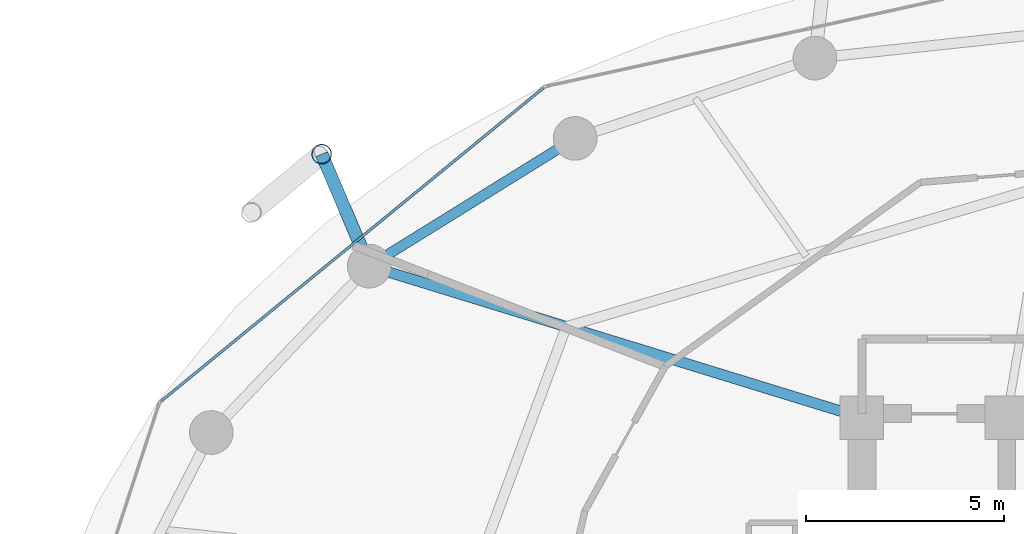
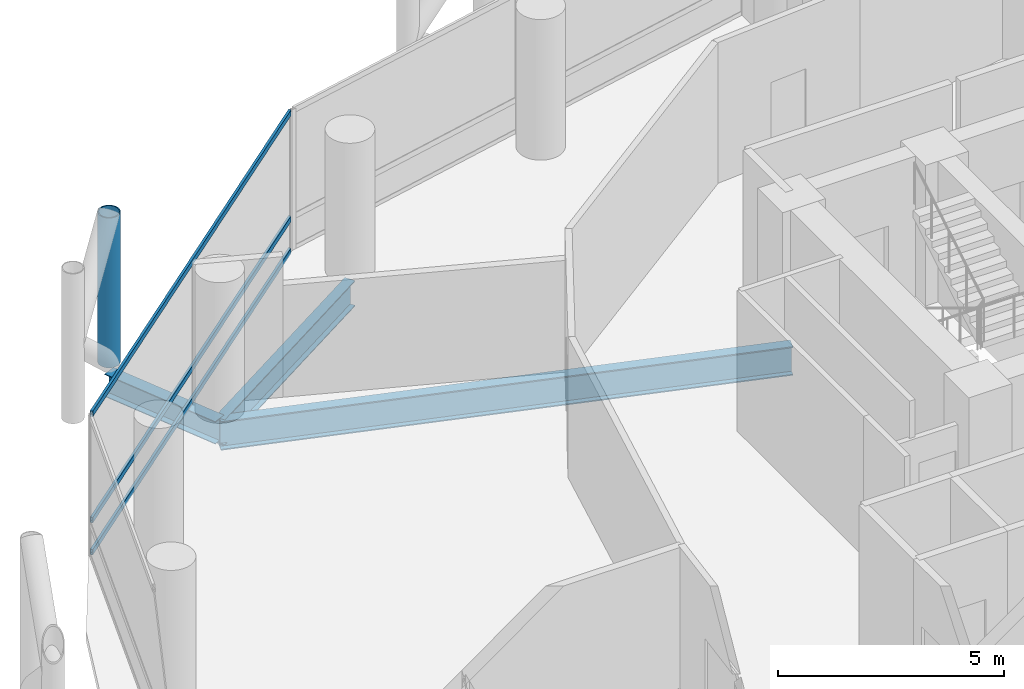
# One storey, part 14 of 24: 4 members, 3 beams, 1 element without a shape of its own.
"""IFC4 building model written with IfcOpenShell, lengths in metres."""

from ifc_helpers import new_model, si_unit, direction, frame, origin, origin_2d, place, context, subcontext, project, spatial, hollow_rectangle, hollow_circle, i_section, extrude, material, layer, layer_set, material_profile, profile_set, type_object, element, aggregate, save


model = new_model("IFC4")

# Units and contexts
model_context = context("Model", 3, precision=1e-05, world=origin(), true_north=direction((0.0, 1.0)))
body_context = subcontext(model_context, "Body", "Model", "MODEL_VIEW")
ifc_project = project(units=[si_unit("LENGTHUNIT", "METRE"), si_unit("AREAUNIT", "SQUARE_METRE"), si_unit("VOLUMEUNIT", "CUBIC_METRE"), si_unit("PLANEANGLEUNIT", "RADIAN"), si_unit("MASSUNIT", "GRAM", prefix="KILO")], contexts=[model_context])

# Site, building, storey
site_placement = place(None, origin())
site = spatial("IfcSite", under=ifc_project, at=site_placement, CompositionType="ELEMENT")
building_placement = place(site_placement, origin())
building = spatial("IfcBuilding", under=site, at=building_placement, Name="Nuhasar Tower", CompositionType="ELEMENT")
storey_placement = place(building_placement, frame((0.0, 0.0, 69.60009765625)))
storey = spatial("IfcBuildingStorey", under=building, at=storey_placement, Name="L16", CompositionType="ELEMENT", Elevation=69.60009765625)

# Beams
ifc_material_1 = material(Name="Steel S355", Category="steel")
ifc_material_profile_1 = material_profile(ifc_material_1, i_section(OverallWidth=0.26611328125, OverallDepth=0.779052734375, WebThickness=0.0166015625, FlangeThickness=0.030029296875, at=origin_2d()), Name="W30X148")
ifc_profile_set_1 = profile_set([ifc_material_profile_1], Name="Steel S355")
beam_type_1 = type_object("IfcBeamType", Name="BM-RAD-W30X148", PredefinedType="BEAM", material=ifc_profile_set_1)
beam_1_placement = place(storey_placement, frame((33.699951171875, 37.300048828125, -0.64013671875), z_axis=(-0.955789576103, 0.294051502653, 0.0), x_axis=(-0.294051502653, -0.955789576103, 0.0)))
element("IfcBeam", 1, at=beam_1_placement, inside=storey, type_object=beam_type_1, Name="L16 Radial Floor Girder 07", PredefinedType="BEAM", context=body_context, shape_type="SweptSolid", body=[
    extrude(i_section(OverallWidth=0.26611328125, OverallDepth=0.779052734375, WebThickness=0.0166015625, FlangeThickness=0.030029296875, at=origin_2d()), origin(), (0.0, 0.0, 1.0), 12.987060546875),
])
ifc_material_profile_2 = material_profile(ifc_material_1, i_section(OverallWidth=0.256103515625, OverallDepth=0.693115234375, WebThickness=0.014404296875, FlangeThickness=0.023681640625, at=origin_2d()), Name="W27X114")
ifc_profile_set_2 = profile_set([ifc_material_profile_2], Name="Steel S355")
beam_type_2 = type_object("IfcBeamType", Name="BM-RING-W27X114", PredefinedType="SPANDREL", material=ifc_profile_set_2)
beam_2_placement = place(storey_placement, frame((26.47509765625, 44.3369140625, -0.59716796875), z_axis=(-0.849795216549, -0.527112976439, 0.0), x_axis=(0.527112976439, -0.849795216549, 0.0)))
element("IfcBeam", 2, at=beam_2_placement, inside=storey, type_object=beam_type_2, Name="L16 Perimeter Ring Spandrel 09", PredefinedType="SPANDREL", context=body_context, shape_type="SweptSolid", body=[
    extrude(i_section(OverallWidth=0.256103515625, OverallDepth=0.693115234375, WebThickness=0.014404296875, FlangeThickness=0.023681640625, at=origin_2d()), origin(), (0.0, 0.0, 1.0), 6.10498046875),
])
ifc_material_profile_3 = material_profile(ifc_material_1, i_section(OverallWidth=0.323974609375, OverallDepth=0.611083984375, WebThickness=0.0126953125, FlangeThickness=0.01904296875, at=origin_2d()), Name="W24X104")
ifc_profile_set_3 = profile_set([ifc_material_profile_3], Name="Steel S355")
beam_type_3 = type_object("IfcBeamType", Name="BM-TIE-W24X104", PredefinedType="BEAM", material=ifc_profile_set_3)
beam_3_placement = place(storey_placement, frame((21.287109375, 41.118896484375, -0.55615234375), z_axis=(-0.391601084021, 0.920135093882, 0.0), x_axis=(-0.920135093882, -0.391601084021, 0.0)))
element("IfcBeam", 3, at=beam_3_placement, inside=storey, type_object=beam_type_3, Name="L16 Exoskeleton Node Tie Beam 05", PredefinedType="BEAM", context=body_context, shape_type="SweptSolid", body=[
    extrude(i_section(OverallWidth=0.323974609375, OverallDepth=0.611083984375, WebThickness=0.0126953125, FlangeThickness=0.01904296875, at=origin_2d()), origin(), (0.0, 0.0, 1.0), 3.06494140625),
])

# Curtain wall, members
ifc_material_2 = material(Name="Aluminium 6063-T6", Category="aluminium")
ifc_layer = layer(ifc_material_2, 0.199951171875)
ifc_layer_set = layer_set([ifc_layer], Name="Aluminium 6063-T6")
curtain_wall_type = type_object("IfcCurtainWallType", Name="CW-Z1-OFF", PredefinedType="NOTDEFINED", material=ifc_layer_set)
curtain_wall_placement = place(storey_placement, origin())
curtain_wall = element("IfcCurtainWall", 4, at=curtain_wall_placement, inside=storey, type_object=curtain_wall_type, Name="L16 Unitised Curtain Wall 05", PredefinedType="NOTDEFINED")
ifc_material_profile_4 = material_profile(ifc_material_2, hollow_rectangle(XDim=0.06494140625, YDim=0.14990234375, WallThickness=0.00439453125, at=origin_2d()), Name="CWT-2")
ifc_profile_set_4 = profile_set([ifc_material_profile_4], Name="Aluminium 6063-T6")
member_type_1 = type_object("IfcMemberType", Name="CW-TRN-S2", PredefinedType="USERDEFINED", material=ifc_profile_set_4)
member_1_placement = place(storey_placement, frame((25.669677734375, 45.603759765625, 0.032470703125), z_axis=(-0.773540851599, -0.633746440548, 0.0), x_axis=(0.633746440548, -0.773540851599, 0.0)))
member_1 = element("IfcMember", 5, at=member_1_placement, type_object=member_type_1, Name="CW-Z1 transom 1.1", ObjectType="TRANSOM", PredefinedType="USERDEFINED", context=body_context, shape_type="SweptSolid", body=[
    extrude(hollow_rectangle(XDim=0.06494140625, YDim=0.14990234375, WallThickness=0.00439453125, at=origin_2d()), origin(), (0.0, 0.0, 1.0), 12.43798828125),
])
member_2_placement = place(storey_placement, frame((25.669677734375, 45.603759765625, 0.89990234375), z_axis=(-0.773540851599, -0.633746440548, 0.0), x_axis=(0.633746440548, -0.773540851599, 0.0)))
member_2 = element("IfcMember", 6, at=member_2_placement, type_object=member_type_1, Name="CW-Z1 transom 1.2", ObjectType="TRANSOM", PredefinedType="USERDEFINED", context=body_context, shape_type="SweptSolid", body=[
    extrude(hollow_rectangle(XDim=0.06494140625, YDim=0.14990234375, WallThickness=0.00439453125, at=origin_2d()), origin(), (0.0, 0.0, 1.0), 12.43798828125),
])
member_3_placement = place(storey_placement, frame((25.669677734375, 45.603759765625, 3.767333984375), z_axis=(-0.773540851599, -0.633746440548, 0.0), x_axis=(0.633746440548, -0.773540851599, 0.0)))
member_3 = element("IfcMember", 7, at=member_3_placement, type_object=member_type_1, Name="CW-Z1 transom 1.3", ObjectType="TRANSOM", PredefinedType="USERDEFINED", context=body_context, shape_type="SweptSolid", body=[
    extrude(hollow_rectangle(XDim=0.06494140625, YDim=0.14990234375, WallThickness=0.00439453125, at=origin_2d()), origin(), (0.0, 0.0, 1.0), 12.43798828125),
])
aggregate(curtain_wall, [member_1, member_2, member_3])

# Member
ifc_material_3 = material(Name="Steel S460", Category="steel")
ifc_material_profile_5 = material_profile(ifc_material_3, hollow_circle(Radius=0.25390625, WallThickness=0.025390625, at=origin_2d()), Name="HSS508X25.4")
ifc_profile_set_5 = profile_set([ifc_material_profile_5], Name="Steel S460")
member_type_2 = type_object("IfcMemberType", Name="EXO-BRONZE-508", PredefinedType="BRACE", material=ifc_profile_set_5)
member_4_placement = place(storey_placement, frame((20.0869140625, 43.93896484375, 0.0), z_axis=(0.0, 0.0, 1.0), x_axis=(1.0, 0.0, 0.0)))
element("IfcMember", 8, at=member_4_placement, inside=storey, type_object=member_type_2, Name="L16 Exoskeleton Chord Column EC-05A", PredefinedType="BRACE", context=body_context, shape_type="SweptSolid", body=[
    extrude(hollow_circle(Radius=0.25390625, WallThickness=0.025390625, at=origin_2d()), origin(), (0.0, 0.0, 1.0), 4.0498046875),
])

save(model, "model.ifc")
